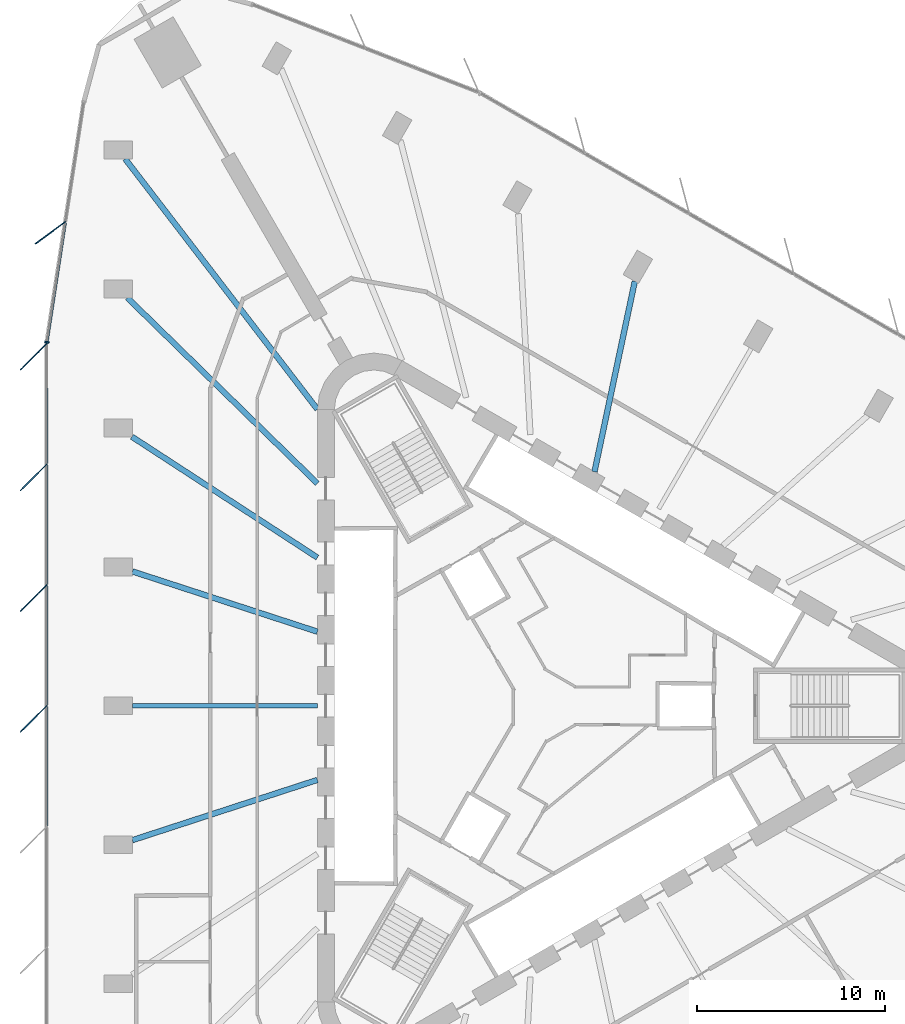
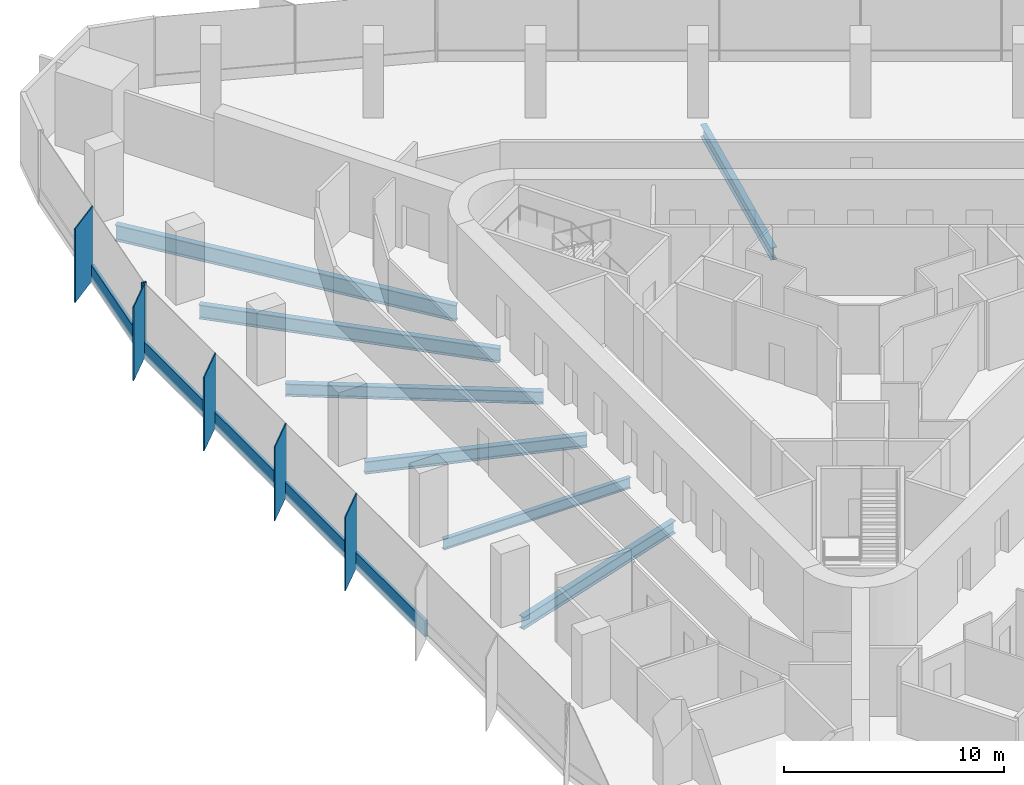
# One storey, part 4 of 15: 11 members, 7 beams, 2 elements without a shape of their own.
"""IFC4 building model written with IfcOpenShell, lengths in metres."""

from ifc_helpers import new_model, si_unit, direction, frame, origin, origin_2d, place, context, subcontext, project, spatial, rectangle, i_section, extrude, material, material_profile, profile_set, type_object, element, aggregate, save


model = new_model("IFC4")

# Units and contexts
model_context = context("Model", 3, precision=1e-05, world=origin(), true_north=direction((0.0, 1.0)))
body_context = subcontext(model_context, "Body", "Model", "MODEL_VIEW")
ifc_project = project(units=[si_unit("LENGTHUNIT", "METRE"), si_unit("AREAUNIT", "SQUARE_METRE"), si_unit("VOLUMEUNIT", "CUBIC_METRE"), si_unit("PLANEANGLEUNIT", "RADIAN"), si_unit("MASSUNIT", "GRAM", prefix="KILO")], contexts=[model_context])

# Site, building, storey
site_placement = place(None, origin())
site = spatial("IfcSite", under=ifc_project, at=site_placement, CompositionType="ELEMENT")
building_placement = place(site_placement, origin())
building = spatial("IfcBuilding", under=site, at=building_placement, Name="Tanit Gate Tower", CompositionType="ELEMENT")
storey_placement = place(building_placement, frame((0.0, 0.0, 139.800048828125)))
storey = spatial("IfcBuildingStorey", under=building, at=storey_placement, Name="L30", CompositionType="ELEMENT", Elevation=139.800048828125)

# Curtain wall, member
ifc_material_1 = material(Name="Aluminium bronze anodised and glass", Category="aluminium")
curtain_wall_type = type_object("IfcCurtainWallType", Name="Curtain wall typical low", PredefinedType="NOTDEFINED", material=ifc_material_1)
curtain_wall_1_placement = place(storey_placement, origin())
curtain_wall_1 = element("IfcCurtainWall", 1, at=curtain_wall_1_placement, inside=storey, type_object=curtain_wall_type, Name="Curtain wall L30 W1", PredefinedType="NOTDEFINED")
ifc_material_2 = material(Name="Aluminium bronze anodised", Category="aluminium")
ifc_material_profile_1 = material_profile(ifc_material_2, rectangle(XDim=2.0, YDim=0.055908203125, at=origin_2d()), Name="56x2000 bronze fin mullion")
ifc_profile_set_1 = profile_set([ifc_material_profile_1], Name="Aluminium bronze anodised")
member_type_1 = type_object("IfcMemberType", Name="FIN MULLION 56x2000 bronze", PredefinedType="MULLION", material=ifc_profile_set_1)
member_1_placement = place(storey_placement, frame((-26.29931640625, 25.1591796875, -0.300048828125), z_axis=(0.0, 0.0, 1.0), x_axis=(0.806255156627, 0.591567935586, 0.0)))
member_1 = element("IfcMember", 2, at=member_1_placement, type_object=member_type_1, Name="Fin mullion L30 W1.2", PredefinedType="MULLION", context=body_context, shape_type="SweptSolid", body=[
    extrude(rectangle(XDim=2.0, YDim=0.055908203125, at=origin_2d()), origin(), (0.0, 0.0, 1.0), 4.10009765625),
])

# Curtain wall, members
curtain_wall_2_placement = place(storey_placement, origin())
curtain_wall_2 = element("IfcCurtainWall", 3, at=curtain_wall_2_placement, inside=storey, type_object=curtain_wall_type, Name="Curtain wall L30 W2", PredefinedType="NOTDEFINED")
member_2_placement = place(storey_placement, frame((-27.190185546875, 18.575439453125, -0.300048828125), z_axis=(0.0, 0.0, 1.0), x_axis=(0.707155809403, 0.707057749571, 0.0)))
member_2 = element("IfcMember", 4, at=member_2_placement, type_object=member_type_1, Name="Fin mullion L30 W2.1", PredefinedType="MULLION", context=body_context, shape_type="SweptSolid", body=[
    extrude(rectangle(XDim=2.0, YDim=0.055908203125, at=origin_2d()), origin(), (0.0, 0.0, 1.0), 4.10009765625),
])
member_3_placement = place(storey_placement, frame((-27.190673828125, 12.1533203125, -0.300048828125), z_axis=(0.0, 0.0, 1.0), x_axis=(0.707155809403, 0.707057749571, 0.0)))
member_3 = element("IfcMember", 5, at=member_3_placement, type_object=member_type_1, Name="Fin mullion L30 W2.2", PredefinedType="MULLION", context=body_context, shape_type="SweptSolid", body=[
    extrude(rectangle(XDim=2.0, YDim=0.055908203125, at=origin_2d()), origin(), (0.0, 0.0, 1.0), 4.10009765625),
])
member_4_placement = place(storey_placement, frame((-27.191162109375, 5.731201171875, -0.300048828125), z_axis=(0.0, 0.0, 1.0), x_axis=(0.707155809403, 0.707057749571, 0.0)))
member_4 = element("IfcMember", 6, at=member_4_placement, type_object=member_type_1, Name="Fin mullion L30 W2.3", PredefinedType="MULLION", context=body_context, shape_type="SweptSolid", body=[
    extrude(rectangle(XDim=2.0, YDim=0.055908203125, at=origin_2d()), origin(), (0.0, 0.0, 1.0), 4.10009765625),
])
member_5_placement = place(storey_placement, frame((-27.191650390625, -0.691162109375, -0.300048828125), z_axis=(0.0, 0.0, 1.0), x_axis=(0.707155809403, 0.707057749571, 0.0)))
member_5 = element("IfcMember", 7, at=member_5_placement, type_object=member_type_1, Name="Fin mullion L30 W2.4", PredefinedType="MULLION", context=body_context, shape_type="SweptSolid", body=[
    extrude(rectangle(XDim=2.0, YDim=0.055908203125, at=origin_2d()), origin(), (0.0, 0.0, 1.0), 4.10009765625),
])

# Member
ifc_material_3 = material(Name="Aluminium bronze anodised", Category="aluminium")
ifc_material_profile_2 = material_profile(ifc_material_3, rectangle(XDim=0.239990234375, YDim=0.080078125, at=origin_2d()), Name="80x240 bronze mullion")
ifc_profile_set_2 = profile_set([ifc_material_profile_2], Name="Aluminium bronze anodised")
member_type_2 = type_object("IfcMemberType", Name="Mullion 80x240 typical low", PredefinedType="MULLION", material=ifc_profile_set_2)
member_6_placement = place(storey_placement, frame((-26.492919921875, 19.345947265625, -0.300048828125), z_axis=(0.0, 0.0, 1.0), x_axis=(0.988410187402, -0.151806789832, 0.0)))
member_6 = element("IfcMember", 8, at=member_6_placement, type_object=member_type_2, Name="Mullion L30 W1.3", PredefinedType="MULLION", context=body_context, shape_type="SweptSolid", body=[
    extrude(rectangle(XDim=0.239990234375, YDim=0.080078125, at=origin_2d()), origin(), (0.0, 0.0, 1.0), 4.10009765625),
])

# Beams
ifc_material_4 = material(Name="Steel S355", Category="steel")
ifc_material_profile_3 = material_profile(ifc_material_4, i_section(OverallWidth=0.300048828125, OverallDepth=0.68994140625, WebThickness=0.014404296875, FlangeThickness=0.027099609375, FilletRadius=0.027099609375, at=origin_2d()), Name="HEA 700")
ifc_profile_set_3 = profile_set([ifc_material_profile_3], Name="Steel S355")
beam_type_1 = type_object("IfcBeamType", Name="RADIAL GIRDER HEA 700 S355", PredefinedType="BEAM", material=ifc_profile_set_3)
for number, where, z_axis, x_axis, name in (
    (9, (-21.94140625, -7.147216796875, -0.64501953125), (0.950826843828, 0.309722961783, 0.0), (-0.309722961783, 0.950826843828, 0.0), "RADIAL GIRDER"),
    (10, (4.781005859375, 22.5751953125, -0.64501953125), (-0.207169644951, -0.978305033316, 0.0), (0.978305033316, -0.207169644951, 0.0), "RADIAL GIRDER"),
):
    element("IfcBeam", number, at=place(storey_placement, frame(where, z_axis=z_axis, x_axis=x_axis)), inside=storey, type_object=beam_type_1, Name=name, PredefinedType="BEAM", context=body_context, shape_type="SweptSolid", body=[
        extrude(i_section(OverallWidth=0.300048828125, OverallDepth=0.68994140625, WebThickness=0.014404296875, FlangeThickness=0.027099609375, FilletRadius=0.027099609375, at=origin_2d()), origin(), (0.0, 0.0, 1.0), 10.34814453125),
    ])
beam_1_placement = place(storey_placement, frame((-21.962158203125, 14.307861328125, -0.64501953125), z_axis=(0.837879591386, -0.54585510013, 0.0), x_axis=(0.54585510013, 0.837879591386, 0.0)))
element("IfcBeam", 11, at=beam_1_placement, inside=storey, type_object=beam_type_1, Name="RADIAL GIRDER", PredefinedType="BEAM", context=body_context, shape_type="SweptSolid", body=[
    extrude(i_section(OverallWidth=0.300048828125, OverallDepth=0.68994140625, WebThickness=0.014404296875, FlangeThickness=0.027099609375, FilletRadius=0.027099609375, at=origin_2d()), origin(), (0.0, 0.0, 1.0), 11.767822265625),
])
beam_2_placement = place(storey_placement, frame((-21.94140625, 7.147216796875, -0.64501953125), z_axis=(0.950826843828, -0.309722961783, 0.0), x_axis=(0.309722961783, 0.950826843828, 0.0)))
element("IfcBeam", 12, at=beam_2_placement, inside=storey, type_object=beam_type_1, Name="RADIAL GIRDER", PredefinedType="BEAM", context=body_context, shape_type="SweptSolid", body=[
    extrude(i_section(OverallWidth=0.300048828125, OverallDepth=0.68994140625, WebThickness=0.014404296875, FlangeThickness=0.027099609375, FilletRadius=0.027099609375, at=origin_2d()), origin(), (0.0, 0.0, 1.0), 10.34814453125),
])
ifc_material_5 = material(Name="Steel S355", Category="steel")
ifc_material_profile_4 = material_profile(ifc_material_5, i_section(OverallWidth=0.300048828125, OverallDepth=0.7900390625, WebThickness=0.014892578125, FlangeThickness=0.028076171875, FilletRadius=0.030029296875, at=origin_2d()), Name="HEA 800")
ifc_profile_set_4 = profile_set([ifc_material_profile_4], Name="Steel S355")
beam_type_2 = type_object("IfcBeamType", Name="RADIAL GIRDER HEA 800 S355", PredefinedType="BEAM", material=ifc_profile_set_4)
beam_3_placement = place(storey_placement, frame((-22.205078125, 21.69921875, -0.695068359375), z_axis=(0.715208800213, -0.698910847031, 0.0), x_axis=(0.698910847031, 0.715208800213, 0.0)))
element("IfcBeam", 13, at=beam_3_placement, inside=storey, type_object=beam_type_2, Name="RADIAL GIRDER", PredefinedType="BEAM", context=body_context, shape_type="SweptSolid", body=[
    extrude(i_section(OverallWidth=0.300048828125, OverallDepth=0.7900390625, WebThickness=0.014892578125, FlangeThickness=0.028076171875, FilletRadius=0.030029296875, at=origin_2d()), origin(), (0.0, 0.0, 1.0), 14.1259765625),
])
ifc_material_6 = material(Name="Steel S355", Category="steel")
ifc_material_profile_5 = material_profile(ifc_material_6, i_section(OverallWidth=0.300048828125, OverallDepth=0.889892578125, WebThickness=0.01611328125, FlangeThickness=0.030029296875, FilletRadius=0.030029296875, at=origin_2d()), Name="HEA 900")
ifc_profile_set_5 = profile_set([ifc_material_profile_5], Name="Steel S355")
beam_type_3 = type_object("IfcBeamType", Name="RADIAL GIRDER HEA 900 S355", PredefinedType="BEAM", material=ifc_profile_set_5)
beam_4_placement = place(storey_placement, frame((-22.32666015625, 29.0908203125, -0.7451171875), z_axis=(0.60883155025, -0.793299529446, 0.0), x_axis=(0.793299529446, 0.60883155025, 0.0)))
element("IfcBeam", 14, at=beam_4_placement, inside=storey, type_object=beam_type_3, Name="RADIAL GIRDER", PredefinedType="BEAM", context=body_context, shape_type="SweptSolid", body=[
    extrude(i_section(OverallWidth=0.300048828125, OverallDepth=0.889892578125, WebThickness=0.01611328125, FlangeThickness=0.030029296875, FilletRadius=0.030029296875, at=origin_2d()), origin(), (0.0, 0.0, 1.0), 16.794921875),
])
ifc_material_7 = material(Name="Steel S355", Category="steel")
ifc_material_profile_6 = material_profile(ifc_material_7, i_section(OverallWidth=0.219970703125, OverallDepth=0.60009765625, WebThickness=0.011962890625, FlangeThickness=0.01904296875, FilletRadius=0.02392578125, at=origin_2d()), Name="IPE 600")
ifc_profile_set_6 = profile_set([ifc_material_profile_6], Name="Steel S355")
beam_type_4 = type_object("IfcBeamType", Name="RADIAL GIRDER IPE 600 S355", PredefinedType="BEAM", material=ifc_profile_set_6)
beam_5_placement = place(storey_placement, frame((-21.94140625, 0.0, -0.60009765625), z_axis=(1.0, 0.0, 0.0), x_axis=(0.0, 1.0, 0.0)))
element("IfcBeam", 15, at=beam_5_placement, inside=storey, type_object=beam_type_4, Name="RADIAL GIRDER", PredefinedType="BEAM", context=body_context, shape_type="SweptSolid", body=[
    extrude(i_section(OverallWidth=0.219970703125, OverallDepth=0.60009765625, WebThickness=0.011962890625, FlangeThickness=0.01904296875, FilletRadius=0.02392578125, at=origin_2d()), origin(), (0.0, 0.0, 1.0), 9.83935546875),
])

# Member
ifc_material_8 = material(Name="Aluminium bronze anodised", Category="aluminium")
ifc_material_profile_7 = material_profile(ifc_material_8, rectangle(XDim=0.159912109375, YDim=0.89990234375, at=origin_2d()), Name="160x900 bronze transom")
ifc_profile_set_7 = profile_set([ifc_material_profile_7], Name="Aluminium bronze anodised")
member_type_3 = type_object("IfcMemberType", Name="Transom 160x900 typical low", PredefinedType="USERDEFINED", material=ifc_profile_set_7)
member_7_placement = place(storey_placement, frame((-25.517333984375, 25.69775390625, 0.14990234375), z_axis=(-0.151807254715, -0.988410116002, 0.0), x_axis=(0.988410116002, -0.151807254715, 0.0)))
member_7 = element("IfcMember", 16, at=member_7_placement, type_object=member_type_3, Name="Transom L30 W1.2", ObjectType="TRANSOM", PredefinedType="USERDEFINED", context=body_context, shape_type="SweptSolid", body=[
    extrude(rectangle(XDim=0.159912109375, YDim=0.89990234375, at=origin_2d()), origin(), (0.0, 0.0, 1.0), 6.38623046875),
])

aggregate(curtain_wall_1, [member_1, member_6, member_7])

member_8_placement = place(storey_placement, frame((-26.4990234375, 19.2265625, 0.14990234375), z_axis=(-7.6988221e-05, -0.999999997036, 0.0), x_axis=(0.999999997036, -7.6988221e-05, 0.0)))
member_8 = element("IfcMember", 17, at=member_8_placement, type_object=member_type_3, Name="Transom L30 W2.1", ObjectType="TRANSOM", PredefinedType="USERDEFINED", context=body_context, shape_type="SweptSolid", body=[
    extrude(rectangle(XDim=0.159912109375, YDim=0.89990234375, at=origin_2d()), origin(), (0.0, 0.0, 1.0), 6.34228515625),
])

member_9_placement = place(storey_placement, frame((-26.49951171875, 12.80419921875, 0.14990234375), z_axis=(-7.6991184e-05, -0.999999997036, 0.0), x_axis=(0.999999997036, -7.6991184e-05, 0.0)))
member_9 = element("IfcMember", 18, at=member_9_placement, type_object=member_type_3, Name="Transom L30 W2.2", ObjectType="TRANSOM", PredefinedType="USERDEFINED", context=body_context, shape_type="SweptSolid", body=[
    extrude(rectangle(XDim=0.159912109375, YDim=0.89990234375, at=origin_2d()), origin(), (0.0, 0.0, 1.0), 6.342041015625),
])

member_10_placement = place(storey_placement, frame((-26.5, 6.382080078125, 0.14990234375), z_axis=(-7.6991184e-05, -0.999999997036, 0.0), x_axis=(0.999999997036, -7.6991184e-05, 0.0)))
member_10 = element("IfcMember", 19, at=member_10_placement, type_object=member_type_3, Name="Transom L30 W2.3", ObjectType="TRANSOM", PredefinedType="USERDEFINED", context=body_context, shape_type="SweptSolid", body=[
    extrude(rectangle(XDim=0.159912109375, YDim=0.89990234375, at=origin_2d()), origin(), (0.0, 0.0, 1.0), 6.342041015625),
])

member_11_placement = place(storey_placement, frame((-26.50048828125, -0.0400390625, 0.14990234375), z_axis=(-3.8495592e-05, -0.999999999259, 0.0), x_axis=(0.999999999259, -3.8495592e-05, 0.0)))
member_11 = element("IfcMember", 20, at=member_11_placement, type_object=member_type_3, Name="Transom L30 W2.4", ObjectType="TRANSOM", PredefinedType="USERDEFINED", context=body_context, shape_type="SweptSolid", body=[
    extrude(rectangle(XDim=0.159912109375, YDim=0.89990234375, at=origin_2d()), origin(), (0.0, 0.0, 1.0), 6.342041015625),
])

aggregate(curtain_wall_2, [member_2, member_3, member_4, member_5, member_8, member_9, member_10, member_11])

save(model, "model.ifc")
